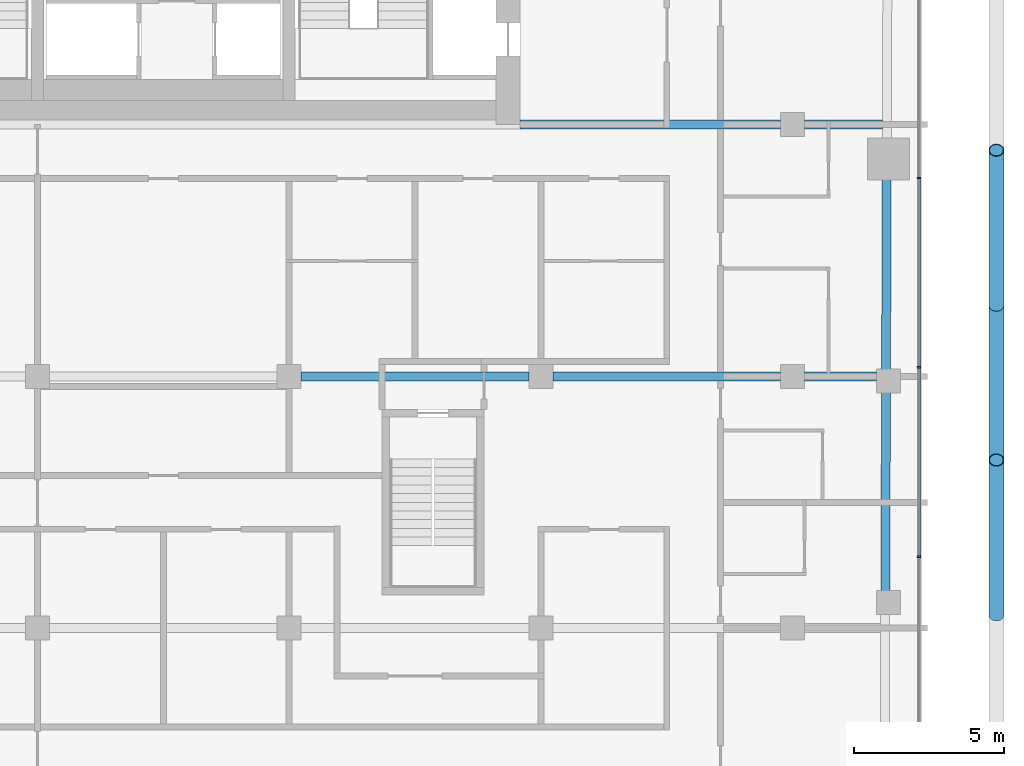
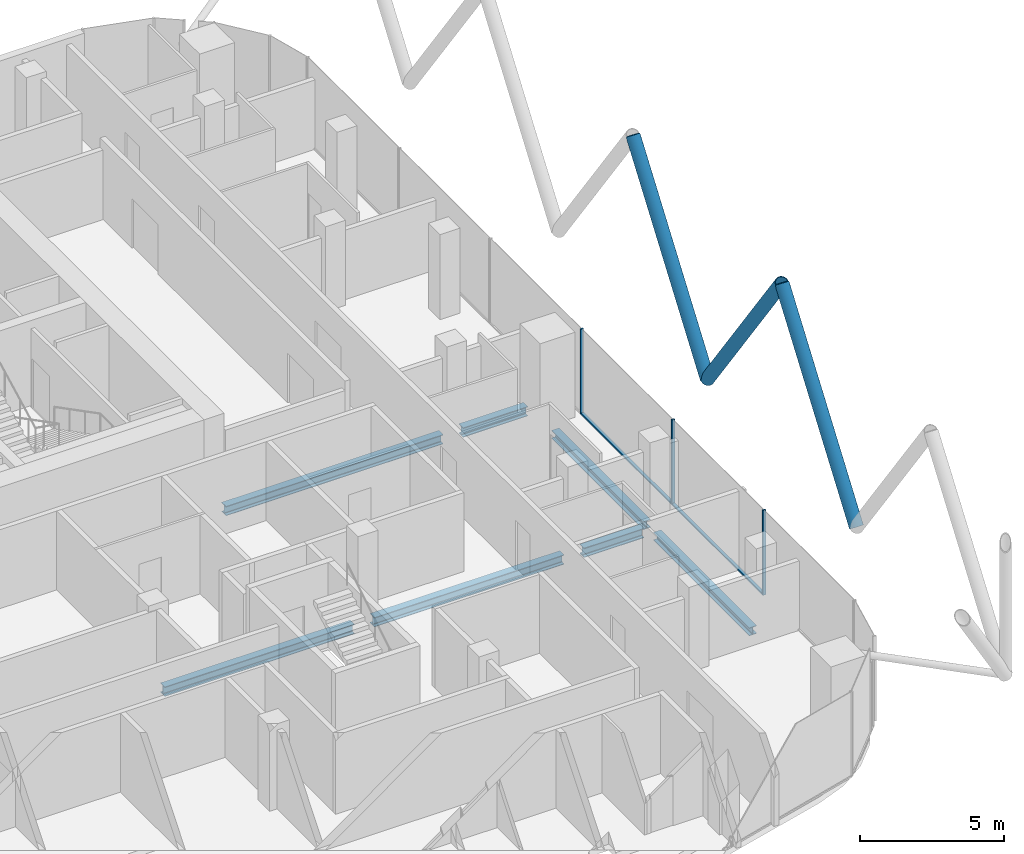
# One storey, part 7 of 28: 8 members, 7 beams, 1 element without a shape of its own.
"""IFC4 building model written with IfcOpenShell, lengths in metres."""

from ifc_helpers import new_model, si_unit, direction, frame, origin, origin_2d, place, context, subcontext, project, spatial, rectangle, hollow_circle, i_section, extrude, material, layer, layer_set, material_profile, profile_set, type_object, element, aggregate, save


model = new_model("IFC4")

# Units and contexts
model_context = context("Model", 3, precision=1e-05, world=origin(), true_north=direction((0.0, 1.0)))
body_context = subcontext(model_context, "Body", "Model", "MODEL_VIEW")
ifc_project = project(units=[si_unit("LENGTHUNIT", "METRE"), si_unit("AREAUNIT", "SQUARE_METRE"), si_unit("VOLUMEUNIT", "CUBIC_METRE"), si_unit("PLANEANGLEUNIT", "RADIAN"), si_unit("MASSUNIT", "GRAM", prefix="KILO")], contexts=[model_context])

# Site, building, storey
site_placement = place(None, origin())
site = spatial("IfcSite", under=ifc_project, at=site_placement, CompositionType="ELEMENT")
building_placement = place(site_placement, origin())
building = spatial("IfcBuilding", under=site, at=building_placement, Name="Marenta Gate Hotel Tower", CompositionType="ELEMENT")
storey_placement = place(building_placement, frame((0.0, 0.0, 227.300048828125)))
storey = spatial("IfcBuildingStorey", under=building, at=storey_placement, Name="L53", CompositionType="ELEMENT", Elevation=227.300048828125)

# Members
ifc_material_1 = material(Name="Steel S355J2W", Category="steel")
ifc_material_profile_1 = material_profile(ifc_material_1, hollow_circle(Radius=0.25390625, WallThickness=0.02490234375, at=origin_2d()), Name="CHS 508x25")
ifc_profile_set_1 = profile_set([ifc_material_profile_1], Name="Steel S355J2W")
member_type_1 = type_object("IfcMemberType", Name="Diagrid diagonal Z3 CHS 508x25", PredefinedType="BRACE", material=ifc_profile_set_1)
member_1_placement = place(storey_placement, frame((27.800048828125, -6.02001953125, 3.139892578125), z_axis=(0.0, 0.583260841117, 0.812284919975), x_axis=(-1.0, 0.0, 0.0)))
element("IfcMember", 1, at=member_1_placement, inside=storey, type_object=member_type_1, Name="L53-DG-6", PredefinedType="BRACE", context=body_context, shape_type="SweptSolid", body=[
    extrude(hollow_circle(Radius=0.25390625, WallThickness=0.02490234375, at=origin_2d()), origin(), (0.0, 0.0, 1.0), 8.86376953125),
])
member_2_placement = place(storey_placement, frame((27.800048828125, -6.02001953125, 3.139892578125), z_axis=(0.0, -0.583279014058, 0.812271870595), x_axis=(1.0, 0.0, 0.0)))
element("IfcMember", 2, at=member_2_placement, inside=storey, type_object=member_type_1, Name="L53-DG-7", PredefinedType="BRACE", context=body_context, shape_type="SweptSolid", body=[
    extrude(hollow_circle(Radius=0.25390625, WallThickness=0.02490234375, at=origin_2d()), origin(), (0.0, 0.0, 1.0), 8.864013671875),
])
member_3_placement = place(storey_placement, frame((27.800048828125, -16.360107421875, 3.139892578125), z_axis=(0.0, 0.583260841117, 0.812284919975), x_axis=(-1.0, 0.0, 0.0)))
element("IfcMember", 3, at=member_3_placement, inside=storey, type_object=member_type_1, Name="L53-DG-8", PredefinedType="BRACE", context=body_context, shape_type="SweptSolid", body=[
    extrude(hollow_circle(Radius=0.25390625, WallThickness=0.02490234375, at=origin_2d()), origin(), (0.0, 0.0, 1.0), 8.86376953125),
])

# Beams
ifc_material_2 = material(Name="Steel S355", Category="steel")
ifc_material_profile_2 = material_profile(ifc_material_2, i_section(OverallWidth=0.300048828125, OverallDepth=0.340087890625, WebThickness=0.011962890625, FlangeThickness=0.021484375, FilletRadius=0.027099609375, at=origin_2d()), Name="HEB 340")
ifc_profile_set_2 = profile_set([ifc_material_profile_2], Name="Steel S355")
beam_type_1 = type_object("IfcBeamType", Name="Edge beam HEB 340", PredefinedType="SPANDREL", material=ifc_profile_set_2)
beam_1_placement = place(storey_placement, frame((24.1396484375, -1.81005859375, -0.429931640625), z_axis=(-0.003328723523, -0.999994459785, 0.0), x_axis=(0.999994459785, -0.003328723523, 0.0)))
element("IfcBeam", 4, at=beam_1_placement, inside=storey, type_object=beam_type_1, Name="L53-EB-25", PredefinedType="SPANDREL", context=body_context, shape_type="SweptSolid", body=[
    extrude(i_section(OverallWidth=0.300048828125, OverallDepth=0.340087890625, WebThickness=0.011962890625, FlangeThickness=0.021484375, FilletRadius=0.027099609375, at=origin_2d()), origin(), (0.0, 0.0, 1.0), 6.380859375),
])
beam_2_placement = place(storey_placement, frame((24.115966796875, -8.910888671875, -0.429931640625), z_axis=(-0.00332539729, -0.999994470851, 0.0), x_axis=(0.999994470851, -0.00332539729, 0.0)))
element("IfcBeam", 5, at=beam_2_placement, inside=storey, type_object=beam_type_1, Name="L53-EB-26", PredefinedType="SPANDREL", context=body_context, shape_type="SweptSolid", body=[
    extrude(i_section(OverallWidth=0.300048828125, OverallDepth=0.340087890625, WebThickness=0.011962890625, FlangeThickness=0.021484375, FilletRadius=0.027099609375, at=origin_2d()), origin(), (0.0, 0.0, 1.0), 6.680908203125),
])
ifc_material_3 = material(Name="Steel S355", Category="steel")
ifc_material_profile_3 = material_profile(ifc_material_3, i_section(OverallWidth=0.300048828125, OverallDepth=0.39990234375, WebThickness=0.013427734375, FlangeThickness=0.02392578125, FilletRadius=0.027099609375, at=origin_2d()), Name="HEB 400")
ifc_profile_set_3 = profile_set([ifc_material_profile_3], Name="Steel S355")
beam_type_2 = type_object("IfcBeamType", Name="Girder HEB 400", PredefinedType="BEAM", material=ifc_profile_set_3)
beam_3_placement = place(storey_placement, frame((4.60009765625, -8.39990234375, -0.4599609375), z_axis=(1.0, 0.0, 0.0), x_axis=(0.0, 1.0, 0.0)))
element("IfcBeam", 6, at=beam_3_placement, inside=storey, type_object=beam_type_2, Name="L53-GD-17", PredefinedType="BEAM", context=body_context, shape_type="SweptSolid", body=[
    extrude(i_section(OverallWidth=0.300048828125, OverallDepth=0.39990234375, WebThickness=0.013427734375, FlangeThickness=0.02392578125, FilletRadius=0.027099609375, at=origin_2d()), origin(), (0.0, 0.0, 1.0), 7.599853515625),
])
beam_4_placement = place(storey_placement, frame((13.0, -8.39990234375, -0.4599609375), z_axis=(1.0, 0.0, 0.0), x_axis=(0.0, 1.0, 0.0)))
element("IfcBeam", 7, at=beam_4_placement, inside=storey, type_object=beam_type_2, Name="L53-GD-18", PredefinedType="BEAM", context=body_context, shape_type="SweptSolid", body=[
    extrude(i_section(OverallWidth=0.300048828125, OverallDepth=0.39990234375, WebThickness=0.013427734375, FlangeThickness=0.02392578125, FilletRadius=0.027099609375, at=origin_2d()), origin(), (0.0, 0.0, 1.0), 7.60009765625),
])
beam_5_placement = place(storey_placement, frame((21.39990234375, -8.39990234375, -0.4599609375), z_axis=(1.0, 0.0, 0.0), x_axis=(0.0, 1.0, 0.0)))
element("IfcBeam", 8, at=beam_5_placement, inside=storey, type_object=beam_type_2, Name="L53-GD-19", PredefinedType="BEAM", context=body_context, shape_type="SweptSolid", body=[
    extrude(i_section(OverallWidth=0.300048828125, OverallDepth=0.39990234375, WebThickness=0.013427734375, FlangeThickness=0.02392578125, FilletRadius=0.027099609375, at=origin_2d()), origin(), (0.0, 0.0, 1.0), 2.400146484375),
])
beam_6_placement = place(storey_placement, frame((11.89990234375, 0.0, -0.4599609375), z_axis=(1.0, 0.0, 0.0), x_axis=(0.0, 1.0, 0.0)))
element("IfcBeam", 9, at=beam_6_placement, inside=storey, type_object=beam_type_2, Name="L53-GD-23", PredefinedType="BEAM", context=body_context, shape_type="SweptSolid", body=[
    extrude(i_section(OverallWidth=0.300048828125, OverallDepth=0.39990234375, WebThickness=0.013427734375, FlangeThickness=0.02392578125, FilletRadius=0.027099609375, at=origin_2d()), origin(), (0.0, 0.0, 1.0), 8.7001953125),
])
beam_7_placement = place(storey_placement, frame((21.39990234375, 0.0, -0.4599609375), z_axis=(1.0, 0.0, 0.0), x_axis=(0.0, 1.0, 0.0)))
element("IfcBeam", 10, at=beam_7_placement, inside=storey, type_object=beam_type_2, Name="L53-GD-24", PredefinedType="BEAM", context=body_context, shape_type="SweptSolid", body=[
    extrude(i_section(OverallWidth=0.300048828125, OverallDepth=0.39990234375, WebThickness=0.013427734375, FlangeThickness=0.02392578125, FilletRadius=0.027099609375, at=origin_2d()), origin(), (0.0, 0.0, 1.0), 2.595703125),
])

# Curtain wall, members
ifc_material_4 = material(Name="Tinted insulated glass in bronze anodised frame", Category="glass")
ifc_layer = layer(ifc_material_4, 0.1201171875)
ifc_layer_set = layer_set([ifc_layer], Name="Tinted insulated glass in bronze anodised frame")
curtain_wall_type = type_object("IfcCurtainWallType", Name="Tower unitised curtain wall CW1", PredefinedType="NOTDEFINED", material=ifc_layer_set)
curtain_wall_placement = place(storey_placement, origin())
curtain_wall = element("IfcCurtainWall", 11, at=curtain_wall_placement, inside=storey, type_object=curtain_wall_type, Name="CW1 run G19", PredefinedType="NOTDEFINED")
ifc_material_5 = material(Name="Bronze anodised aluminium", Category="aluminium")
ifc_material_profile_4 = material_profile(ifc_material_5, rectangle(XDim=0.1201171875, YDim=0.06005859375, at=origin_2d()), Name="Mullion CW1 60x120 bronze anodised aluminium")
ifc_profile_set_4 = profile_set([ifc_material_profile_4], Name="Bronze anodised aluminium")
member_type_2 = type_object("IfcMemberType", Name="Mullion CW1 60x120 bronze anodised aluminium", PredefinedType="MULLION", material=ifc_profile_set_4)
member_4_placement = place(storey_placement, frame((25.214111328125, -14.42138671875, 0.0), z_axis=(0.0, 0.0, 1.0), x_axis=(-1.0, 0.0, 0.0)))
member_4 = element("IfcMember", 12, at=member_4_placement, type_object=member_type_2, Name="CW1 mullion 2", PredefinedType="MULLION", context=body_context, shape_type="SweptSolid", body=[
    extrude(rectangle(XDim=0.1201171875, YDim=0.06005859375, at=origin_2d()), origin(), (0.0, 0.0, 1.0), 3.599853515625),
])
member_5_placement = place(storey_placement, frame((25.214111328125, -8.0986328125, 0.0), z_axis=(0.0, 0.0, 1.0), x_axis=(-1.0, 0.0, 0.0)))
member_5 = element("IfcMember", 13, at=member_5_placement, type_object=member_type_2, Name="CW1 mullion 3", PredefinedType="MULLION", context=body_context, shape_type="SweptSolid", body=[
    extrude(rectangle(XDim=0.1201171875, YDim=0.06005859375, at=origin_2d()), origin(), (0.0, 0.0, 1.0), 3.599853515625),
])
member_6_placement = place(storey_placement, frame((25.214111328125, -1.77587890625, 0.0), z_axis=(0.0, 0.0, 1.0), x_axis=(-1.0, 0.0, 0.0)))
member_6 = element("IfcMember", 14, at=member_6_placement, type_object=member_type_2, Name="CW1 mullion 4", PredefinedType="MULLION", context=body_context, shape_type="SweptSolid", body=[
    extrude(rectangle(XDim=0.1201171875, YDim=0.06005859375, at=origin_2d()), origin(), (0.0, 0.0, 1.0), 3.599853515625),
])
ifc_material_6 = material(Name="Bronze anodised aluminium", Category="aluminium")
ifc_material_profile_5 = material_profile(ifc_material_6, rectangle(XDim=0.1201171875, YDim=0.06005859375, at=origin_2d()), Name="Transom CW1 60x120 bronze anodised aluminium")
ifc_profile_set_5 = profile_set([ifc_material_profile_5], Name="Bronze anodised aluminium")
member_type_3 = type_object("IfcMemberType", Name="Transom CW1 60x120 bronze anodised aluminium", PredefinedType="USERDEFINED", material=ifc_profile_set_5)
member_7_placement = place(storey_placement, frame((25.214111328125, -14.391357421875, 0.030029296875), z_axis=(0.0, 1.0, 0.0), x_axis=(-1.0, 0.0, 0.0)))
member_7 = element("IfcMember", 15, at=member_7_placement, type_object=member_type_3, Name="CW1 transom 2.1", ObjectType="TRANSOM", PredefinedType="USERDEFINED", context=body_context, shape_type="SweptSolid", body=[
    extrude(rectangle(XDim=0.1201171875, YDim=0.06005859375, at=origin_2d()), origin(), (0.0, 0.0, 1.0), 6.2626953125),
])
member_8_placement = place(storey_placement, frame((25.214111328125, -8.068603515625, 0.030029296875), z_axis=(0.0, 1.0, 0.0), x_axis=(-1.0, 0.0, 0.0)))
member_8 = element("IfcMember", 16, at=member_8_placement, type_object=member_type_3, Name="CW1 transom 3.1", ObjectType="TRANSOM", PredefinedType="USERDEFINED", context=body_context, shape_type="SweptSolid", body=[
    extrude(rectangle(XDim=0.1201171875, YDim=0.06005859375, at=origin_2d()), origin(), (0.0, 0.0, 1.0), 6.2626953125),
])
aggregate(curtain_wall, [member_4, member_5, member_6, member_7, member_8])

save(model, "model.ifc")
